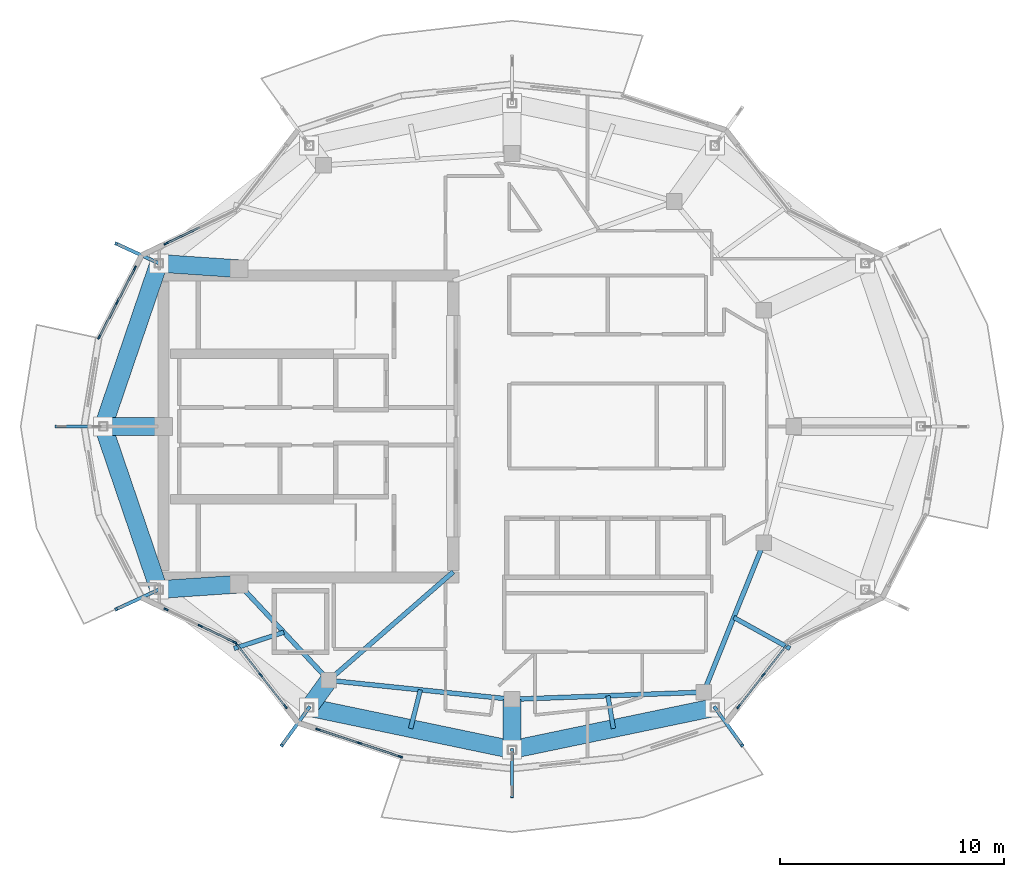
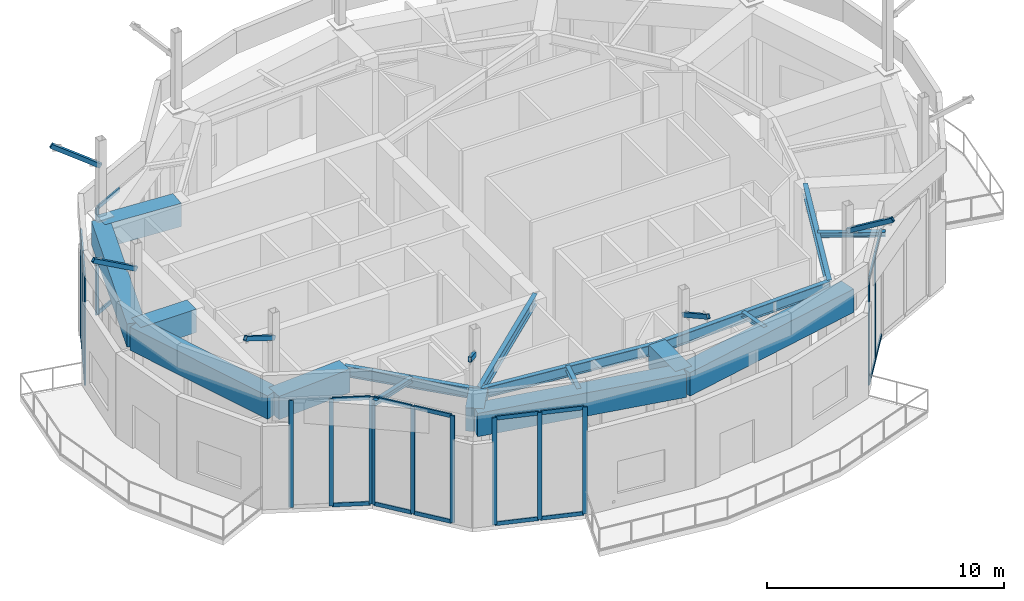
# One storey, part 2 of 13: 41 members, 18 beams, 6 elements without a shape of their own.
"""IFC4 building model written with IfcOpenShell, lengths in metres."""

from ifc_helpers import new_model, si_unit, direction, frame, origin, origin_2d, place, context, subcontext, project, spatial, rectangle, hollow_rectangle, i_section, extrude, material, layer, layer_set, material_profile, profile_set, type_object, element, aggregate, save


model = new_model("IFC4")

# Units and contexts
model_context = context("Model", 3, precision=1e-05, world=origin(), true_north=direction((0.0, 1.0)))
body_context = subcontext(model_context, "Body", "Model", "MODEL_VIEW")
ifc_project = project(units=[si_unit("LENGTHUNIT", "METRE"), si_unit("AREAUNIT", "SQUARE_METRE"), si_unit("VOLUMEUNIT", "CUBIC_METRE"), si_unit("PLANEANGLEUNIT", "RADIAN"), si_unit("MASSUNIT", "GRAM", prefix="KILO")], contexts=[model_context])

# Site, building, storey
site_placement = place(None, origin())
site = spatial("IfcSite", under=ifc_project, at=site_placement, CompositionType="ELEMENT")
building_placement = place(site_placement, origin())
building = spatial("IfcBuilding", under=site, at=building_placement, Name="Kolvaren Gate Tower and Convention Centre", CompositionType="ELEMENT")
storey_placement = place(building_placement, frame((0.0, 0.0, 281.60009765625)))
storey = spatial("IfcBuildingStorey", under=building, at=storey_placement, Name="L76", CompositionType="ELEMENT", Elevation=281.60009765625)

# Members
ifc_material_1 = material(Name="Architectural Painted Steel Canopy Framing ASTM A500 Grade C 345 MPa", Category="steel")
ifc_material_profile_1 = material_profile(ifc_material_1, hollow_rectangle(XDim=0.14990234375, YDim=0.219970703125, WallThickness=0.008056640625, at=origin_2d()), Name="ARCH-MEM-CANOPY-220")
ifc_profile_set_1 = profile_set([ifc_material_profile_1], Name="Architectural Painted Steel Canopy Framing ASTM A500 Grade C 345 MPa")
member_type_1 = type_object("IfcMemberType", Name="ARCH-MEM-CANOPY-220", PredefinedType="BRACE", material=ifc_profile_set_1)
for number, where, z_axis, x_axis, name in (
    (1, (14.333984375, 34.293701171875, 8.2998046875), (-0.794324204289, 0.366900679328, 0.484182765068), (-0.419330931923, -0.907833448124, 0.0), "Crown Lookout Canopy Outrigger Strut CN-06"),
    (2, (11.85009765625, 27.0, 8.2998046875), (-0.874971700299, 0.0, 0.484174063407), (0.0, -1.0, 0.0), "Crown Lookout Canopy Outrigger Strut CN-07"),
    (3, (14.333984375, 19.706298828125, 8.2998046875), (-0.794324204289, -0.366900679328, 0.484182765068), (0.419330931923, -0.907833448124, 0.0), "Crown Lookout Canopy Outrigger Strut CN-08"),
    (4, (21.059814453125, 14.439208984375, 8.2998046875), (-0.511939530407, -0.709574838888, 0.484170904975), (0.810967281895, -0.585091503695, 0.0), "Crown Lookout Canopy Outrigger Strut CN-09"),
    (5, (30.125, 12.550048828125, 8.2998046875), (0.0, -0.874971700299, 0.484174063407), (1.0, 0.0, 0.0), "Crown Lookout Canopy Outrigger Strut CN-10"),
    (6, (39.190185546875, 14.439208984375, 8.2998046875), (0.511939530407, -0.709574838888, 0.484170904975), (0.810967281895, 0.585091503695, 0.0), "Crown Lookout Canopy Outrigger Strut CN-11"),
):
    element("IfcMember", number, at=place(storey_placement, frame(where, z_axis=z_axis, x_axis=x_axis)), inside=storey, type_object=member_type_1, Name=name, PredefinedType="BRACE", context=body_context, shape_type="SweptSolid", body=[
        extrude(hollow_rectangle(XDim=0.14990234375, YDim=0.219970703125, WallThickness=0.008056640625, at=origin_2d()), origin(), (0.0, 0.0, 1.0), 2.400146484375),
    ])

# Curtain wall, member
ifc_material_2 = material(Name="Anodized Architectural Aluminium Alloy 6063-T6", Category="aluminium")
ifc_layer = layer(ifc_material_2, 0.199951171875)
ifc_layer_set = layer_set([ifc_layer], Name="Anodized Architectural Aluminium Alloy 6063-T6")
curtain_wall_type = type_object("IfcCurtainWallType", Name="CW-SKY-GLZ", PredefinedType="NOTDEFINED", material=ifc_layer_set)
curtain_wall_1_placement = place(storey_placement, origin())
curtain_wall_1 = element("IfcCurtainWall", 7, at=curtain_wall_1_placement, inside=storey, type_object=curtain_wall_type, Name="L76 Panoramic Structural Curtain Wall CW-09", PredefinedType="NOTDEFINED")
ifc_material_profile_2 = material_profile(ifc_material_2, rectangle(XDim=0.074951171875, YDim=0.199951171875, at=origin_2d()), Name="CW-MEM-MUL-200")
ifc_profile_set_2 = profile_set([ifc_material_profile_2], Name="Anodized Architectural Aluminium Alloy 6063-T6")
member_type_2 = type_object("IfcMemberType", Name="CW-MEM-MUL-200", PredefinedType="MULLION", material=ifc_profile_set_2)
member_1_placement = place(storey_placement, frame((14.66064453125, 35.177734375, 0.0), z_axis=(0.0, 0.0, 1.0), x_axis=(-0.433053218498, 0.901368354197, 0.0)))
member_1 = element("IfcMember", 8, at=member_1_placement, type_object=member_type_2, Name="CW-05 mullion 1", PredefinedType="MULLION", context=body_context, shape_type="SweptSolid", body=[
    extrude(rectangle(XDim=0.074951171875, YDim=0.199951171875, at=origin_2d()), origin(), (0.0, 0.0, 1.0), 5.5),
])

# Curtain wall, members
curtain_wall_2_placement = place(storey_placement, origin())
curtain_wall_2 = element("IfcCurtainWall", 9, at=curtain_wall_2_placement, inside=storey, type_object=curtain_wall_type, Name="L76 Panoramic Structural Curtain Wall CW-10", PredefinedType="NOTDEFINED")
member_2_placement = place(storey_placement, frame((11.6689453125, 30.9931640625, 0.0), z_axis=(0.0, 0.0, 1.0), x_axis=(-0.888029901482, 0.459785704512, 0.0)))
member_2 = element("IfcMember", 10, at=member_2_placement, type_object=member_type_2, Name="CW-05 mullion 1", PredefinedType="MULLION", context=body_context, shape_type="SweptSolid", body=[
    extrude(rectangle(XDim=0.074951171875, YDim=0.199951171875, at=origin_2d()), origin(), (0.0, 0.0, 1.0), 5.5),
])
member_3_placement = place(storey_placement, frame((12.46875, 32.537841796875, 0.0), z_axis=(0.0, 0.0, 1.0), x_axis=(-0.888029901482, 0.459785704512, 0.0)))
member_3 = element("IfcMember", 11, at=member_3_placement, type_object=member_type_2, Name="CW-05 mullion 2", PredefinedType="MULLION", context=body_context, shape_type="SweptSolid", body=[
    extrude(rectangle(XDim=0.074951171875, YDim=0.199951171875, at=origin_2d()), origin(), (0.0, 0.0, 1.0), 5.5),
])
member_4_placement = place(storey_placement, frame((13.2685546875, 34.082763671875, 0.0), z_axis=(0.0, 0.0, 1.0), x_axis=(-0.888029901482, 0.459785704512, 0.0)))
member_4 = element("IfcMember", 12, at=member_4_placement, type_object=member_type_2, Name="CW-05 mullion 3", PredefinedType="MULLION", context=body_context, shape_type="SweptSolid", body=[
    extrude(rectangle(XDim=0.074951171875, YDim=0.199951171875, at=origin_2d()), origin(), (0.0, 0.0, 1.0), 5.5),
])

curtain_wall_3_placement = place(storey_placement, origin())
curtain_wall_3 = element("IfcCurtainWall", 13, at=curtain_wall_3_placement, inside=storey, type_object=curtain_wall_type, Name="L76 Panoramic Structural Curtain Wall CW-14", PredefinedType="NOTDEFINED")
member_5_placement = place(storey_placement, frame((14.66064453125, 18.822265625, 0.0), z_axis=(0.0, 0.0, 1.0), x_axis=(0.433053218498, 0.901368354197, 0.0)))
member_5 = element("IfcMember", 14, at=member_5_placement, type_object=member_type_2, Name="CW-05 mullion 1", PredefinedType="MULLION", context=body_context, shape_type="SweptSolid", body=[
    extrude(rectangle(XDim=0.074951171875, YDim=0.199951171875, at=origin_2d()), origin(), (0.0, 0.0, 1.0), 5.5),
])
member_6_placement = place(storey_placement, frame((16.191162109375, 18.0869140625, 0.0), z_axis=(0.0, 0.0, 1.0), x_axis=(0.433053218498, 0.901368354197, 0.0)))
member_6 = element("IfcMember", 15, at=member_6_placement, type_object=member_type_2, Name="CW-05 mullion 2", PredefinedType="MULLION", context=body_context, shape_type="SweptSolid", body=[
    extrude(rectangle(XDim=0.074951171875, YDim=0.199951171875, at=origin_2d()), origin(), (0.0, 0.0, 1.0), 5.5),
])
member_7_placement = place(storey_placement, frame((17.7216796875, 17.3515625, 0.0), z_axis=(0.0, 0.0, 1.0), x_axis=(0.433053218498, 0.901368354197, 0.0)))
member_7 = element("IfcMember", 16, at=member_7_placement, type_object=member_type_2, Name="CW-05 mullion 3", PredefinedType="MULLION", context=body_context, shape_type="SweptSolid", body=[
    extrude(rectangle(XDim=0.074951171875, YDim=0.199951171875, at=origin_2d()), origin(), (0.0, 0.0, 1.0), 5.5),
])

curtain_wall_4_placement = place(storey_placement, origin())
curtain_wall_4 = element("IfcCurtainWall", 17, at=curtain_wall_4_placement, inside=storey, type_object=curtain_wall_type, Name="L76 Panoramic Structural Curtain Wall CW-15", PredefinedType="NOTDEFINED")
member_8_placement = place(storey_placement, frame((17.77880859375, 17.3056640625, 0.0), z_axis=(0.0, 0.0, 1.0), x_axis=(0.787410873286, 0.616428517049, 0.0)))
member_8 = element("IfcMember", 18, at=member_8_placement, type_object=member_type_2, Name="CW-05 mullion 1", PredefinedType="MULLION", context=body_context, shape_type="SweptSolid", body=[
    extrude(rectangle(XDim=0.074951171875, YDim=0.199951171875, at=origin_2d()), origin(), (0.0, 0.0, 1.0), 5.5),
])
member_9_placement = place(storey_placement, frame((18.888916015625, 15.8876953125, 0.0), z_axis=(0.0, 0.0, 1.0), x_axis=(0.787410873286, 0.616428517049, 0.0)))
member_9 = element("IfcMember", 19, at=member_9_placement, type_object=member_type_2, Name="CW-05 mullion 2", PredefinedType="MULLION", context=body_context, shape_type="SweptSolid", body=[
    extrude(rectangle(XDim=0.074951171875, YDim=0.199951171875, at=origin_2d()), origin(), (0.0, 0.0, 1.0), 5.5),
])
member_10_placement = place(storey_placement, frame((19.9990234375, 14.469482421875, 0.0), z_axis=(0.0, 0.0, 1.0), x_axis=(0.787410873286, 0.616428517049, 0.0)))
member_10 = element("IfcMember", 20, at=member_10_placement, type_object=member_type_2, Name="CW-05 mullion 3", PredefinedType="MULLION", context=body_context, shape_type="SweptSolid", body=[
    extrude(rectangle(XDim=0.074951171875, YDim=0.199951171875, at=origin_2d()), origin(), (0.0, 0.0, 1.0), 5.5),
])

curtain_wall_5_placement = place(storey_placement, origin())
curtain_wall_5 = element("IfcCurtainWall", 21, at=curtain_wall_5_placement, inside=storey, type_object=curtain_wall_type, Name="L76 Panoramic Structural Curtain Wall CW-16", PredefinedType="NOTDEFINED")
member_11_placement = place(storey_placement, frame((21.44775390625, 13.45654296875, 0.0), z_axis=(0.0, 0.0, 1.0), x_axis=(0.314562393889, 0.949236798882, 0.0)))
member_11 = element("IfcMember", 22, at=member_11_placement, type_object=member_type_2, Name="CW-05 mullion 1", PredefinedType="MULLION", context=body_context, shape_type="SweptSolid", body=[
    extrude(rectangle(XDim=0.074951171875, YDim=0.199951171875, at=origin_2d()), origin(), (0.0, 0.0, 1.0), 5.5),
])
member_12_placement = place(storey_placement, frame((23.293701171875, 12.8447265625, 0.0), z_axis=(0.0, 0.0, 1.0), x_axis=(0.314562393889, 0.949236798882, 0.0)))
member_12 = element("IfcMember", 23, at=member_12_placement, type_object=member_type_2, Name="CW-05 mullion 2", PredefinedType="MULLION", context=body_context, shape_type="SweptSolid", body=[
    extrude(rectangle(XDim=0.074951171875, YDim=0.199951171875, at=origin_2d()), origin(), (0.0, 0.0, 1.0), 5.5),
])
member_13_placement = place(storey_placement, frame((25.139404296875, 12.233154296875, 0.0), z_axis=(0.0, 0.0, 1.0), x_axis=(0.314562393889, 0.949236798882, 0.0)))
member_13 = element("IfcMember", 24, at=member_13_placement, type_object=member_type_2, Name="CW-05 mullion 3", PredefinedType="MULLION", context=body_context, shape_type="SweptSolid", body=[
    extrude(rectangle(XDim=0.074951171875, YDim=0.199951171875, at=origin_2d()), origin(), (0.0, 0.0, 1.0), 5.5),
])

curtain_wall_6_placement = place(storey_placement, origin())
curtain_wall_6 = element("IfcCurtainWall", 25, at=curtain_wall_6_placement, inside=storey, type_object=curtain_wall_type, Name="L76 Panoramic Structural Curtain Wall CW-20", PredefinedType="NOTDEFINED")
member_14_placement = place(storey_placement, frame((40.250732421875, 14.46923828125, 0.0), z_axis=(0.0, 0.0, 1.0), x_axis=(-0.787412607866, 0.616426301332, 0.0)))
member_14 = element("IfcMember", 26, at=member_14_placement, type_object=member_type_2, Name="CW-05 mullion 1", PredefinedType="MULLION", context=body_context, shape_type="SweptSolid", body=[
    extrude(rectangle(XDim=0.074951171875, YDim=0.199951171875, at=origin_2d()), origin(), (0.0, 0.0, 1.0), 5.5),
])
member_15_placement = place(storey_placement, frame((41.36083984375, 15.887451171875, 0.0), z_axis=(0.0, 0.0, 1.0), x_axis=(-0.787412607866, 0.616426301332, 0.0)))
member_15 = element("IfcMember", 27, at=member_15_placement, type_object=member_type_2, Name="CW-05 mullion 2", PredefinedType="MULLION", context=body_context, shape_type="SweptSolid", body=[
    extrude(rectangle(XDim=0.074951171875, YDim=0.199951171875, at=origin_2d()), origin(), (0.0, 0.0, 1.0), 5.5),
])

# Member
ifc_material_profile_3 = material_profile(ifc_material_2, rectangle(XDim=0.074951171875, YDim=0.199951171875, at=origin_2d()), Name="CW-MEM-TRN-200")
ifc_profile_set_3 = profile_set([ifc_material_profile_3], Name="Anodized Architectural Aluminium Alloy 6063-T6")
member_type_3 = type_object("IfcMemberType", Name="CW-MEM-TRN-200", PredefinedType="USERDEFINED", material=ifc_profile_set_3)
member_16_placement = place(storey_placement, frame((14.6943359375, 35.194091796875, 0.037353515625), z_axis=(0.901384535873, 0.433019535921, 0.0), x_axis=(-0.433019535921, 0.901384535873, 0.0)))
member_16 = element("IfcMember", 28, at=member_16_placement, type_object=member_type_3, Name="CW-05 transom 1.1", ObjectType="TRANSOM", PredefinedType="USERDEFINED", context=body_context, shape_type="SweptSolid", body=[
    extrude(rectangle(XDim=0.074951171875, YDim=0.199951171875, at=origin_2d()), origin(), (0.0, 0.0, 1.0), 1.623291015625),
])

member_17_placement = place(storey_placement, frame((14.6943359375, 35.194091796875, 5.46240234375), z_axis=(0.901384535873, 0.433019535921, 0.0), x_axis=(-0.433019535921, 0.901384535873, 0.0)))
member_17 = element("IfcMember", 29, at=member_17_placement, type_object=member_type_3, Name="CW-05 transom 1.2", ObjectType="TRANSOM", PredefinedType="USERDEFINED", context=body_context, shape_type="SweptSolid", body=[
    extrude(rectangle(XDim=0.074951171875, YDim=0.199951171875, at=origin_2d()), origin(), (0.0, 0.0, 1.0), 1.623291015625),
])

aggregate(curtain_wall_1, [member_1, member_16, member_17])

member_18_placement = place(storey_placement, frame((11.686279296875, 31.026611328125, 0.037353515625), z_axis=(0.459726179674, 0.888060718489, 0.0), x_axis=(-0.888060718489, 0.459726179674, 0.0)))
member_18 = element("IfcMember", 30, at=member_18_placement, type_object=member_type_3, Name="CW-05 transom 1.1", ObjectType="TRANSOM", PredefinedType="USERDEFINED", context=body_context, shape_type="SweptSolid", body=[
    extrude(rectangle(XDim=0.074951171875, YDim=0.199951171875, at=origin_2d()), origin(), (0.0, 0.0, 1.0), 1.664306640625),
])

member_19_placement = place(storey_placement, frame((11.686279296875, 31.026611328125, 5.46240234375), z_axis=(0.459726179674, 0.888060718489, 0.0), x_axis=(-0.888060718489, 0.459726179674, 0.0)))
member_19 = element("IfcMember", 31, at=member_19_placement, type_object=member_type_3, Name="CW-05 transom 1.2", ObjectType="TRANSOM", PredefinedType="USERDEFINED", context=body_context, shape_type="SweptSolid", body=[
    extrude(rectangle(XDim=0.074951171875, YDim=0.199951171875, at=origin_2d()), origin(), (0.0, 0.0, 1.0), 1.664306640625),
])

member_20_placement = place(storey_placement, frame((12.486083984375, 32.5712890625, 0.037353515625), z_axis=(0.459726179674, 0.888060718489, 0.0), x_axis=(-0.888060718489, 0.459726179674, 0.0)))
member_20 = element("IfcMember", 32, at=member_20_placement, type_object=member_type_3, Name="CW-05 transom 2.1", ObjectType="TRANSOM", PredefinedType="USERDEFINED", context=body_context, shape_type="SweptSolid", body=[
    extrude(rectangle(XDim=0.074951171875, YDim=0.199951171875, at=origin_2d()), origin(), (0.0, 0.0, 1.0), 1.664306640625),
])

member_21_placement = place(storey_placement, frame((12.486083984375, 32.5712890625, 5.46240234375), z_axis=(0.459726179674, 0.888060718489, 0.0), x_axis=(-0.888060718489, 0.459726179674, 0.0)))
member_21 = element("IfcMember", 33, at=member_21_placement, type_object=member_type_3, Name="CW-05 transom 2.2", ObjectType="TRANSOM", PredefinedType="USERDEFINED", context=body_context, shape_type="SweptSolid", body=[
    extrude(rectangle(XDim=0.074951171875, YDim=0.199951171875, at=origin_2d()), origin(), (0.0, 0.0, 1.0), 1.664306640625),
])

aggregate(curtain_wall_2, [member_2, member_3, member_4, member_18, member_19, member_20, member_21])

member_22_placement = place(storey_placement, frame((16.22509765625, 18.070556640625, 0.037353515625), z_axis=(0.901356328078, -0.433078249088, 0.0), x_axis=(0.433078249088, 0.901356328078, 0.0)))
member_22 = element("IfcMember", 34, at=member_22_placement, type_object=member_type_3, Name="CW-05 transom 2.1", ObjectType="TRANSOM", PredefinedType="USERDEFINED", context=body_context, shape_type="SweptSolid", body=[
    extrude(rectangle(XDim=0.074951171875, YDim=0.199951171875, at=origin_2d()), origin(), (0.0, 0.0, 1.0), 1.623046875),
])

member_23_placement = place(storey_placement, frame((16.22509765625, 18.070556640625, 5.46240234375), z_axis=(0.901356328078, -0.433078249088, 0.0), x_axis=(0.433078249088, 0.901356328078, 0.0)))
member_23 = element("IfcMember", 35, at=member_23_placement, type_object=member_type_3, Name="CW-05 transom 2.2", ObjectType="TRANSOM", PredefinedType="USERDEFINED", context=body_context, shape_type="SweptSolid", body=[
    extrude(rectangle(XDim=0.074951171875, YDim=0.199951171875, at=origin_2d()), origin(), (0.0, 0.0, 1.0), 1.623046875),
])

aggregate(curtain_wall_3, [member_5, member_6, member_7, member_22, member_23])

member_24_placement = place(storey_placement, frame((17.8017578125, 17.276123046875, 0.037353515625), z_axis=(0.616483703487, -0.787367667189, 0.0), x_axis=(0.787367667189, 0.616483703487, 0.0)))
member_24 = element("IfcMember", 36, at=member_24_placement, type_object=member_type_3, Name="CW-05 transom 1.1", ObjectType="TRANSOM", PredefinedType="USERDEFINED", context=body_context, shape_type="SweptSolid", body=[
    extrude(rectangle(XDim=0.074951171875, YDim=0.199951171875, at=origin_2d()), origin(), (0.0, 0.0, 1.0), 1.725830078125),
])

member_25_placement = place(storey_placement, frame((17.8017578125, 17.276123046875, 5.46240234375), z_axis=(0.616483703487, -0.787367667189, 0.0), x_axis=(0.787367667189, 0.616483703487, 0.0)))
member_25 = element("IfcMember", 37, at=member_25_placement, type_object=member_type_3, Name="CW-05 transom 1.2", ObjectType="TRANSOM", PredefinedType="USERDEFINED", context=body_context, shape_type="SweptSolid", body=[
    extrude(rectangle(XDim=0.074951171875, YDim=0.199951171875, at=origin_2d()), origin(), (0.0, 0.0, 1.0), 1.725830078125),
])

member_26_placement = place(storey_placement, frame((18.912109375, 15.858154296875, 0.037353515625), z_axis=(0.616415044087, -0.787421420475, 0.0), x_axis=(0.787421420475, 0.616415044087, 0.0)))
member_26 = element("IfcMember", 38, at=member_26_placement, type_object=member_type_3, Name="CW-05 transom 2.1", ObjectType="TRANSOM", PredefinedType="USERDEFINED", context=body_context, shape_type="SweptSolid", body=[
    extrude(rectangle(XDim=0.074951171875, YDim=0.199951171875, at=origin_2d()), origin(), (0.0, 0.0, 1.0), 1.72607421875),
])

member_27_placement = place(storey_placement, frame((18.912109375, 15.858154296875, 5.46240234375), z_axis=(0.616415044087, -0.787421420475, 0.0), x_axis=(0.787421420475, 0.616415044087, 0.0)))
member_27 = element("IfcMember", 39, at=member_27_placement, type_object=member_type_3, Name="CW-05 transom 2.2", ObjectType="TRANSOM", PredefinedType="USERDEFINED", context=body_context, shape_type="SweptSolid", body=[
    extrude(rectangle(XDim=0.074951171875, YDim=0.199951171875, at=origin_2d()), origin(), (0.0, 0.0, 1.0), 1.72607421875),
])

aggregate(curtain_wall_4, [member_8, member_9, member_10, member_24, member_25, member_26, member_27])

member_28_placement = place(storey_placement, frame((21.4833984375, 13.44482421875, 0.037353515625), z_axis=(0.949230332785, -0.314581905583, 0.0), x_axis=(0.314581905583, 0.949230332785, 0.0)))
member_28 = element("IfcMember", 40, at=member_28_placement, type_object=member_type_3, Name="CW-05 transom 1.1", ObjectType="TRANSOM", PredefinedType="USERDEFINED", context=body_context, shape_type="SweptSolid", body=[
    extrude(rectangle(XDim=0.074951171875, YDim=0.199951171875, at=origin_2d()), origin(), (0.0, 0.0, 1.0), 1.86962890625),
])

member_29_placement = place(storey_placement, frame((21.4833984375, 13.44482421875, 5.46240234375), z_axis=(0.949230332785, -0.314581905583, 0.0), x_axis=(0.314581905583, 0.949230332785, 0.0)))
member_29 = element("IfcMember", 41, at=member_29_placement, type_object=member_type_3, Name="CW-05 transom 1.2", ObjectType="TRANSOM", PredefinedType="USERDEFINED", context=body_context, shape_type="SweptSolid", body=[
    extrude(rectangle(XDim=0.074951171875, YDim=0.199951171875, at=origin_2d()), origin(), (0.0, 0.0, 1.0), 1.86962890625),
])

member_30_placement = place(storey_placement, frame((23.3291015625, 12.8330078125, 0.037353515625), z_axis=(0.949243253415, -0.314542915746, 0.0), x_axis=(0.314542915746, 0.949243253415, 0.0)))
member_30 = element("IfcMember", 42, at=member_30_placement, type_object=member_type_3, Name="CW-05 transom 2.1", ObjectType="TRANSOM", PredefinedType="USERDEFINED", context=body_context, shape_type="SweptSolid", body=[
    extrude(rectangle(XDim=0.074951171875, YDim=0.199951171875, at=origin_2d()), origin(), (0.0, 0.0, 1.0), 1.869873046875),
])

member_31_placement = place(storey_placement, frame((23.3291015625, 12.8330078125, 5.46240234375), z_axis=(0.949243253415, -0.314542915746, 0.0), x_axis=(0.314542915746, 0.949243253415, 0.0)))
member_31 = element("IfcMember", 43, at=member_31_placement, type_object=member_type_3, Name="CW-05 transom 2.2", ObjectType="TRANSOM", PredefinedType="USERDEFINED", context=body_context, shape_type="SweptSolid", body=[
    extrude(rectangle(XDim=0.074951171875, YDim=0.199951171875, at=origin_2d()), origin(), (0.0, 0.0, 1.0), 1.869873046875),
])

aggregate(curtain_wall_5, [member_11, member_12, member_13, member_28, member_29, member_30, member_31])

member_32_placement = place(storey_placement, frame((40.273681640625, 14.49853515625, 0.037353515625), z_axis=(0.616434086202, 0.787406513415, 0.0), x_axis=(-0.787406513415, 0.616434086202, 0.0)))
member_32 = element("IfcMember", 44, at=member_32_placement, type_object=member_type_3, Name="CW-05 transom 1.1", ObjectType="TRANSOM", PredefinedType="USERDEFINED", context=body_context, shape_type="SweptSolid", body=[
    extrude(rectangle(XDim=0.074951171875, YDim=0.199951171875, at=origin_2d()), origin(), (0.0, 0.0, 1.0), 1.726318359375),
])

member_33_placement = place(storey_placement, frame((40.273681640625, 14.49853515625, 5.46240234375), z_axis=(0.616434086202, 0.787406513415, 0.0), x_axis=(-0.787406513415, 0.616434086202, 0.0)))
member_33 = element("IfcMember", 45, at=member_33_placement, type_object=member_type_3, Name="CW-05 transom 1.2", ObjectType="TRANSOM", PredefinedType="USERDEFINED", context=body_context, shape_type="SweptSolid", body=[
    extrude(rectangle(XDim=0.074951171875, YDim=0.199951171875, at=origin_2d()), origin(), (0.0, 0.0, 1.0), 1.726318359375),
])

member_34_placement = place(storey_placement, frame((41.384033203125, 15.9169921875, 0.037353515625), z_axis=(0.616502732792, 0.787352767481, 0.0), x_axis=(-0.787352767481, 0.616502732792, 0.0)))
member_34 = element("IfcMember", 46, at=member_34_placement, type_object=member_type_3, Name="CW-05 transom 2.1", ObjectType="TRANSOM", PredefinedType="USERDEFINED", context=body_context, shape_type="SweptSolid", body=[
    extrude(rectangle(XDim=0.074951171875, YDim=0.199951171875, at=origin_2d()), origin(), (0.0, 0.0, 1.0), 1.726318359375),
])

member_35_placement = place(storey_placement, frame((41.384033203125, 15.9169921875, 5.46240234375), z_axis=(0.616502732792, 0.787352767481, 0.0), x_axis=(-0.787352767481, 0.616502732792, 0.0)))
member_35 = element("IfcMember", 47, at=member_35_placement, type_object=member_type_3, Name="CW-05 transom 2.2", ObjectType="TRANSOM", PredefinedType="USERDEFINED", context=body_context, shape_type="SweptSolid", body=[
    extrude(rectangle(XDim=0.074951171875, YDim=0.199951171875, at=origin_2d()), origin(), (0.0, 0.0, 1.0), 1.726318359375),
])

aggregate(curtain_wall_6, [member_14, member_15, member_32, member_33, member_34, member_35])

# Beams
ifc_material_3 = material(Name="Structural steel ASTM A992 Grade 345 MPa", Category="steel")
ifc_material_profile_4 = material_profile(ifc_material_3, i_section(OverallWidth=0.2119140625, OverallDepth=0.5439453125, WebThickness=0.01318359375, FlangeThickness=0.021240234375, at=origin_2d()), Name="W530X123")
ifc_profile_set_4 = profile_set([ifc_material_profile_4], Name="Structural steel ASTM A992 Grade 345 MPa")
beam_type_1 = type_object("IfcBeamType", Name="STR-BM-W530X123", PredefinedType="BEAM", material=ifc_profile_set_4)
beam_1_placement = place(storey_placement, frame((17.9140625, 19.949951171875, 5.227783203125), z_axis=(0.682557592987, -0.730831808459, 0.0), x_axis=(0.730831808459, 0.682557592987, 0.0)))
element("IfcBeam", 48, at=beam_1_placement, inside=storey, type_object=beam_type_1, Name="Tower L76 Primary Ring Girder G-06", PredefinedType="BEAM", context=body_context, shape_type="SweptSolid", body=[
    extrude(i_section(OverallWidth=0.2119140625, OverallDepth=0.5439453125, WebThickness=0.01318359375, FlangeThickness=0.021240234375, at=origin_2d()), origin(), (0.0, 0.0, 1.0), 5.88671875),
])
beam_2_placement = place(storey_placement, frame((21.93212890625, 15.647705078125, 5.227783203125), z_axis=(0.994690329115, -0.102913308978, 0.0), x_axis=(0.102913308978, 0.994690329115, 0.0)))
element("IfcBeam", 49, at=beam_2_placement, inside=storey, type_object=beam_type_1, Name="Tower L76 Primary Ring Girder G-07", PredefinedType="BEAM", context=body_context, shape_type="SweptSolid", body=[
    extrude(i_section(OverallWidth=0.2119140625, OverallDepth=0.5439453125, WebThickness=0.01318359375, FlangeThickness=0.021240234375, at=origin_2d()), origin(), (0.0, 0.0, 1.0), 8.236572265625),
])
beam_3_placement = place(storey_placement, frame((30.125, 14.800048828125, 5.227783203125), z_axis=(0.999301712453, 0.037364254142, 0.0), x_axis=(-0.037364254142, 0.999301712453, 0.0)))
element("IfcBeam", 50, at=beam_3_placement, inside=storey, type_object=beam_type_1, Name="Tower L76 Primary Ring Girder G-08", PredefinedType="BEAM", context=body_context, shape_type="SweptSolid", body=[
    extrude(i_section(OverallWidth=0.2119140625, OverallDepth=0.5439453125, WebThickness=0.01318359375, FlangeThickness=0.021240234375, at=origin_2d()), origin(), (0.0, 0.0, 1.0), 8.579345703125),
])
beam_4_placement = place(storey_placement, frame((38.6982421875, 15.12060546875, 5.227783203125), z_axis=(0.372811100169, 0.927907260232, 0.0), x_axis=(-0.927907260232, 0.372811100169, 0.0)))
element("IfcBeam", 51, at=beam_4_placement, inside=storey, type_object=beam_type_1, Name="Tower L76 Primary Ring Girder G-09", PredefinedType="BEAM", context=body_context, shape_type="SweptSolid", body=[
    extrude(i_section(OverallWidth=0.2119140625, OverallDepth=0.5439453125, WebThickness=0.01318359375, FlangeThickness=0.021240234375, at=origin_2d()), origin(), (0.0, 0.0, 1.0), 7.198974609375),
])
beam_5_placement = place(storey_placement, frame((27.5, 20.5, 5.227783203125), z_axis=(-0.753889854779, -0.657000827139, 0.0), x_axis=(0.657000827139, -0.753889854779, 0.0)))
element("IfcBeam", 52, at=beam_5_placement, inside=storey, type_object=beam_type_1, Name="Tower L76 Primary Ring Girder G-11", PredefinedType="BEAM", context=body_context, shape_type="SweptSolid", body=[
    extrude(i_section(OverallWidth=0.2119140625, OverallDepth=0.5439453125, WebThickness=0.01318359375, FlangeThickness=0.021240234375, at=origin_2d()), origin(), (0.0, 0.0, 1.0), 7.385498046875),
])
ifc_material_profile_5 = material_profile(ifc_material_3, i_section(OverallWidth=0.202880859375, OverallDepth=0.251953125, WebThickness=0.008056640625, FlangeThickness=0.013427734375, at=origin_2d()), Name="W250X58")
ifc_profile_set_5 = profile_set([ifc_material_profile_5], Name="Structural steel ASTM A992 Grade 345 MPa")
beam_type_2 = type_object("IfcBeamType", Name="STR-JS-W250X58", PredefinedType="JOIST", material=ifc_profile_set_5)
beam_6_placement = place(storey_placement, frame((19.923095703125, 17.798828125, 5.3740234375), z_axis=(-0.950707121763, -0.310090258842, 0.0), x_axis=(0.310090258842, -0.950707121763, 0.0)))
element("IfcBeam", 53, at=beam_6_placement, inside=storey, type_object=beam_type_2, Name="Tower L76 Secondary Composite Floor Joist J-08.1", PredefinedType="JOIST", context=body_context, shape_type="SweptSolid", body=[
    extrude(i_section(OverallWidth=0.202880859375, OverallDepth=0.251953125, WebThickness=0.008056640625, FlangeThickness=0.013427734375, at=origin_2d()), origin(), (0.0, 0.0, 1.0), 2.341552734375),
])
beam_7_placement = place(storey_placement, frame((26.028564453125, 15.223876953125, 5.3740234375), z_axis=(-0.244628725891, -0.969616824559, 0.0), x_axis=(0.969616824559, -0.244628725891, 0.0)))
element("IfcBeam", 54, at=beam_7_placement, inside=storey, type_object=beam_type_2, Name="Tower L76 Secondary Composite Floor Joist J-09.1", PredefinedType="JOIST", context=body_context, shape_type="SweptSolid", body=[
    extrude(i_section(OverallWidth=0.202880859375, OverallDepth=0.251953125, WebThickness=0.008056640625, FlangeThickness=0.013427734375, at=origin_2d()), origin(), (0.0, 0.0, 1.0), 1.783447265625),
])
beam_8_placement = place(storey_placement, frame((34.41162109375, 14.960205078125, 5.3740234375), z_axis=(0.16559769087, -0.986193391165, 0.0), x_axis=(0.986193391165, 0.16559769087, 0.0)))
element("IfcBeam", 55, at=beam_8_placement, inside=storey, type_object=beam_type_2, Name="Tower L76 Secondary Composite Floor Joist J-10.1", PredefinedType="JOIST", context=body_context, shape_type="SweptSolid", body=[
    extrude(i_section(OverallWidth=0.202880859375, OverallDepth=0.251953125, WebThickness=0.008056640625, FlangeThickness=0.013427734375, at=origin_2d()), origin(), (0.0, 0.0, 1.0), 1.486083984375),
])
beam_9_placement = place(storey_placement, frame((40.040283203125, 18.46044921875, 5.3740234375), z_axis=(0.875374159445, -0.483446047637, 0.0), x_axis=(0.483446047637, 0.875374159445, 0.0)))
element("IfcBeam", 56, at=beam_9_placement, inside=storey, type_object=beam_type_2, Name="Tower L76 Secondary Composite Floor Joist J-11.1", PredefinedType="JOIST", context=body_context, shape_type="SweptSolid", body=[
    extrude(i_section(OverallWidth=0.202880859375, OverallDepth=0.251953125, WebThickness=0.008056640625, FlangeThickness=0.013427734375, at=origin_2d()), origin(), (0.0, 0.0, 1.0), 2.870361328125),
])
ifc_material_4 = material(Name="Concrete C70/85", Category="concrete")
ifc_material_profile_6 = material_profile(ifc_material_4, rectangle(XDim=0.800048828125, YDim=1.199951171875, at=origin_2d()), Name="RC-BM-800X1200")
ifc_profile_set_6 = profile_set([ifc_material_profile_6], Name="Concrete C70/85")
beam_type_3 = type_object("IfcBeamType", Name="STR-TG-RC800X1200", PredefinedType="USERDEFINED", material=ifc_profile_set_6)
for number, where, z_axis, x_axis, name in (
    (57, (14.333984375, 34.293701171875, 4.89990234375), (-0.322371334633, -0.946613290952, 0.0), (0.946613290952, -0.322371334633, 0.0), "Tower L76 Perimeter Spandrel Beam SP-06"),
    (58, (11.85009765625, 27.0, 4.89990234375), (0.322371334633, -0.946613290952, 0.0), (0.946613290952, 0.322371334633, 0.0), "Tower L76 Perimeter Spandrel Beam SP-07"),
):
    element("IfcBeam", number, at=place(storey_placement, frame(where, z_axis=z_axis, x_axis=x_axis)), inside=storey, type_object=beam_type_3, Name=name, ObjectType="TRANSFER GIRDER", PredefinedType="USERDEFINED", context=body_context, shape_type="SweptSolid", body=[
        extrude(rectangle(XDim=0.800048828125, YDim=1.199951171875, at=origin_2d()), origin(), (0.0, 0.0, 1.0), 7.705078125),
    ])
for number, where, z_axis, x_axis, name in (
    (59, (21.059814453125, 14.439208984375, 4.89990234375), (0.978967915245, -0.204014266466, 0.0), (0.204014266466, 0.978967915245, 0.0), "Tower L76 Perimeter Spandrel Beam SP-09"),
    (60, (30.125, 12.550048828125, 4.89990234375), (0.978967915245, 0.204014266466, 0.0), (-0.204014266466, 0.978967915245, 0.0), "Tower L76 Perimeter Spandrel Beam SP-10"),
):
    element("IfcBeam", number, at=place(storey_placement, frame(where, z_axis=z_axis, x_axis=x_axis)), inside=storey, type_object=beam_type_3, Name=name, ObjectType="TRANSFER GIRDER", PredefinedType="USERDEFINED", context=body_context, shape_type="SweptSolid", body=[
        extrude(rectangle(XDim=0.800048828125, YDim=1.199951171875, at=origin_2d()), origin(), (0.0, 0.0, 1.0), 9.260009765625),
    ])
beam_10_placement = place(storey_placement, frame((17.9140625, 34.050048828125, 4.900390625), z_axis=(-0.997692080373, 0.067900756698, 0.0), x_axis=(-0.067900756698, -0.997692080373, 0.0)))
element("IfcBeam", 61, at=beam_10_placement, inside=storey, type_object=beam_type_3, Name="Tower L76 Zone-Transition Radial Transfer Girder XFG-06", ObjectType="TRANSFER GIRDER", PredefinedType="USERDEFINED", context=body_context, shape_type="SweptSolid", body=[
    extrude(rectangle(XDim=0.800048828125, YDim=1.199951171875, at=origin_2d()), origin(), (0.0, 0.0, 1.0), 3.58837890625),
])
beam_11_placement = place(storey_placement, frame((14.550048828125, 27.0, 4.900390625), z_axis=(-1.0, 0.0, 0.0), x_axis=(0.0, -1.0, 0.0)))
element("IfcBeam", 62, at=beam_11_placement, inside=storey, type_object=beam_type_3, Name="Tower L76 Zone-Transition Radial Transfer Girder XFG-07", ObjectType="TRANSFER GIRDER", PredefinedType="USERDEFINED", context=body_context, shape_type="SweptSolid", body=[
    extrude(rectangle(XDim=0.800048828125, YDim=1.199951171875, at=origin_2d()), origin(), (0.0, 0.0, 1.0), 2.699951171875),
])
beam_12_placement = place(storey_placement, frame((17.9140625, 19.949951171875, 4.900390625), z_axis=(-0.997692080373, -0.067900756698, 0.0), x_axis=(0.067900756698, -0.997692080373, 0.0)))
element("IfcBeam", 63, at=beam_12_placement, inside=storey, type_object=beam_type_3, Name="Tower L76 Zone-Transition Radial Transfer Girder XFG-08", ObjectType="TRANSFER GIRDER", PredefinedType="USERDEFINED", context=body_context, shape_type="SweptSolid", body=[
    extrude(rectangle(XDim=0.800048828125, YDim=1.199951171875, at=origin_2d()), origin(), (0.0, 0.0, 1.0), 3.58837890625),
])
beam_13_placement = place(storey_placement, frame((21.93212890625, 15.647705078125, 4.900390625), z_axis=(-0.585275227651, -0.810834698257, 0.0), x_axis=(0.810834698257, -0.585275227651, 0.0)))
element("IfcBeam", 64, at=beam_13_placement, inside=storey, type_object=beam_type_3, Name="Tower L76 Zone-Transition Radial Transfer Girder XFG-09", ObjectType="TRANSFER GIRDER", PredefinedType="USERDEFINED", context=body_context, shape_type="SweptSolid", body=[
    extrude(rectangle(XDim=0.800048828125, YDim=1.199951171875, at=origin_2d()), origin(), (0.0, 0.0, 1.0), 1.490478515625),
])
beam_14_placement = place(storey_placement, frame((30.125, 14.800048828125, 4.900390625), z_axis=(0.0, -1.0, 0.0), x_axis=(1.0, 0.0, 0.0)))
element("IfcBeam", 65, at=beam_14_placement, inside=storey, type_object=beam_type_3, Name="Tower L76 Zone-Transition Radial Transfer Girder XFG-10", ObjectType="TRANSFER GIRDER", PredefinedType="USERDEFINED", context=body_context, shape_type="SweptSolid", body=[
    extrude(rectangle(XDim=0.800048828125, YDim=1.199951171875, at=origin_2d()), origin(), (0.0, 0.0, 1.0), 2.25),
])

save(model, "model.ifc")
